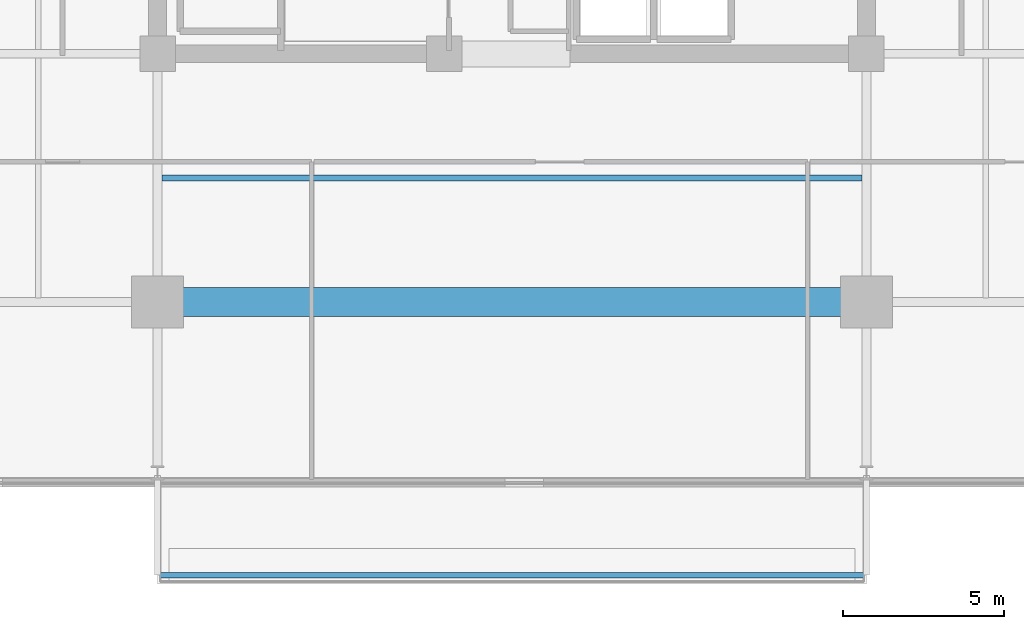
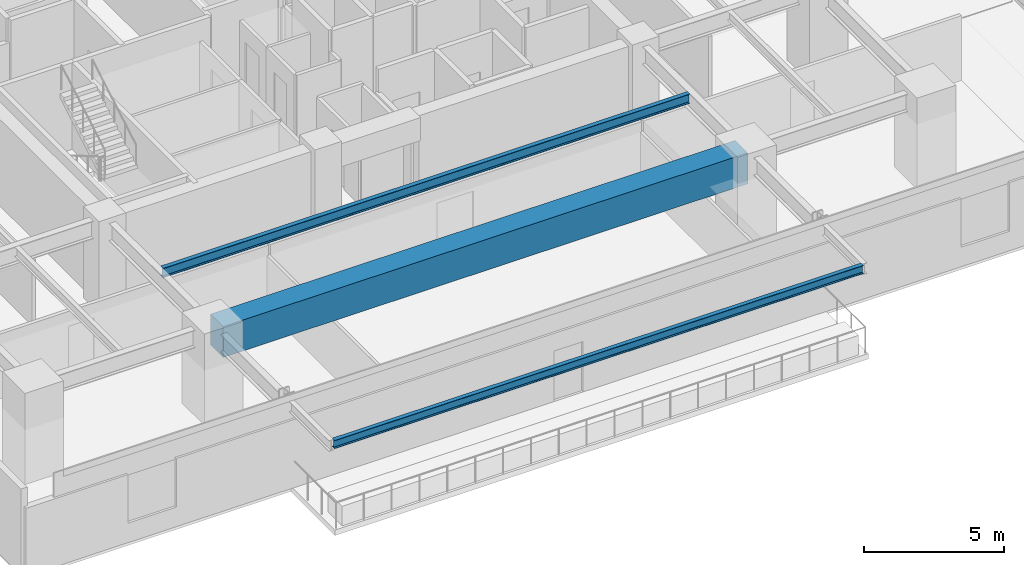
# One storey, part 4 of 23: 3 beams.
"""IFC4 building model written with IfcOpenShell, lengths in metres."""

from ifc_helpers import new_model, si_unit, direction, frame, origin, origin_2d, place, context, subcontext, project, spatial, rectangle, i_section, extrude, material, material_profile, profile_set, type_object, element, save


model = new_model("IFC4")

# Units and contexts
model_context = context("Model", 3, precision=1e-05, world=origin(), true_north=direction((0.0, 1.0)))
body_context = subcontext(model_context, "Body", "Model", "MODEL_VIEW")
ifc_project = project(units=[si_unit("LENGTHUNIT", "METRE"), si_unit("AREAUNIT", "SQUARE_METRE"), si_unit("VOLUMEUNIT", "CUBIC_METRE"), si_unit("PLANEANGLEUNIT", "RADIAN"), si_unit("MASSUNIT", "GRAM", prefix="KILO")], contexts=[model_context])

# Site, building, storey
site_placement = place(None, origin())
site = spatial("IfcSite", under=ifc_project, at=site_placement, CompositionType="ELEMENT")
building_placement = place(site_placement, origin())
building = spatial("IfcBuilding", under=site, at=building_placement, Name="Kovane Verandah Tower", CompositionType="ELEMENT")
storey_placement = place(building_placement, frame((0.0, 0.0, 148.39990234375)))
storey = spatial("IfcBuildingStorey", under=building, at=storey_placement, Name="L34", CompositionType="ELEMENT", Elevation=148.39990234375)

# Beams
ifc_material_1 = material(Name="Concrete C80/95", Category="concrete")
ifc_material_profile_1 = material_profile(ifc_material_1, rectangle(XDim=0.89990234375, YDim=1.35009765625, at=origin_2d()), Name="RCB900x1350")
ifc_profile_set_1 = profile_set([ifc_material_profile_1], Name="Concrete C80/95")
beam_type_1 = type_object("IfcBeamType", Name="BM-TR-900x1350", PredefinedType="BEAM", material=ifc_profile_set_1)
beam_1_placement = place(storey_placement, frame((29.179931640625, 10.800048828125, 3.10009765625), z_axis=(1.0, 0.0, 0.0), x_axis=(0.0, 1.0, 0.0)))
element("IfcBeam", 1, at=beam_1_placement, inside=storey, type_object=beam_type_1, Name="L34 Primary Tower Girder G-RS2", PredefinedType="BEAM", context=body_context, shape_type="SweptSolid", body=[
    extrude(rectangle(XDim=0.89990234375, YDim=1.35009765625, at=origin_2d()), origin(), (0.0, 0.0, 1.0), 21.64013671875),
])
ifc_material_2 = material(Name="Steel S355", Category="steel")
ifc_material_profile_2 = material_profile(ifc_material_2, i_section(OverallWidth=0.179443359375, OverallDepth=0.412841796875, WebThickness=0.009521484375, FlangeThickness=0.01611328125, FilletRadius=0.01025390625, at=origin_2d()), Name="UB406x178x74")
ifc_profile_set_2 = profile_set([ifc_material_profile_2], Name="Steel S355")
beam_type_2 = type_object("IfcBeamType", Name="JST-UB406x74", PredefinedType="JOIST", material=ifc_profile_set_2)
beam_2_placement = place(storey_placement, frame((29.132080078125, 14.64990234375, 3.568603515625), z_axis=(1.0, 0.0, 0.0), x_axis=(0.0, 1.0, 0.0)))
element("IfcBeam", 2, at=beam_2_placement, inside=storey, type_object=beam_type_2, Name="L34 Secondary Composite Joist J-S1", PredefinedType="JOIST", context=body_context, shape_type="SweptSolid", body=[
    extrude(i_section(OverallWidth=0.179443359375, OverallDepth=0.412841796875, WebThickness=0.009521484375, FlangeThickness=0.01611328125, FilletRadius=0.01025390625, at=origin_2d()), origin(), (0.0, 0.0, 1.0), 21.73583984375),
])
ifc_material_profile_3 = material_profile(ifc_material_2, i_section(OverallWidth=0.173095703125, OverallDepth=0.36328125, WebThickness=0.009033203125, FlangeThickness=0.015625, FilletRadius=0.01025390625, at=origin_2d()), Name="UB356x171x67")
ifc_profile_set_3 = profile_set([ifc_material_profile_3], Name="Steel S355")
beam_type_3 = type_object("IfcBeamType", Name="SPD-UB356x67", PredefinedType="USERDEFINED", material=ifc_profile_set_3)
beam_3_placement = place(storey_placement, frame((29.094482421875, 2.32275390625, 3.578369140625), z_axis=(1.0, 0.0, 0.0), x_axis=(0.0, 1.0, 0.0)))
element("IfcBeam", 3, at=beam_3_placement, inside=storey, type_object=beam_type_3, Name="L34 South Planter Edge Spandrel", ObjectType="SPANDREL", PredefinedType="USERDEFINED", context=body_context, shape_type="SweptSolid", body=[
    extrude(i_section(OverallWidth=0.173095703125, OverallDepth=0.36328125, WebThickness=0.009033203125, FlangeThickness=0.015625, FilletRadius=0.01025390625, at=origin_2d()), origin(), (0.0, 0.0, 1.0), 21.81103515625),
])

save(model, "model.ifc")
